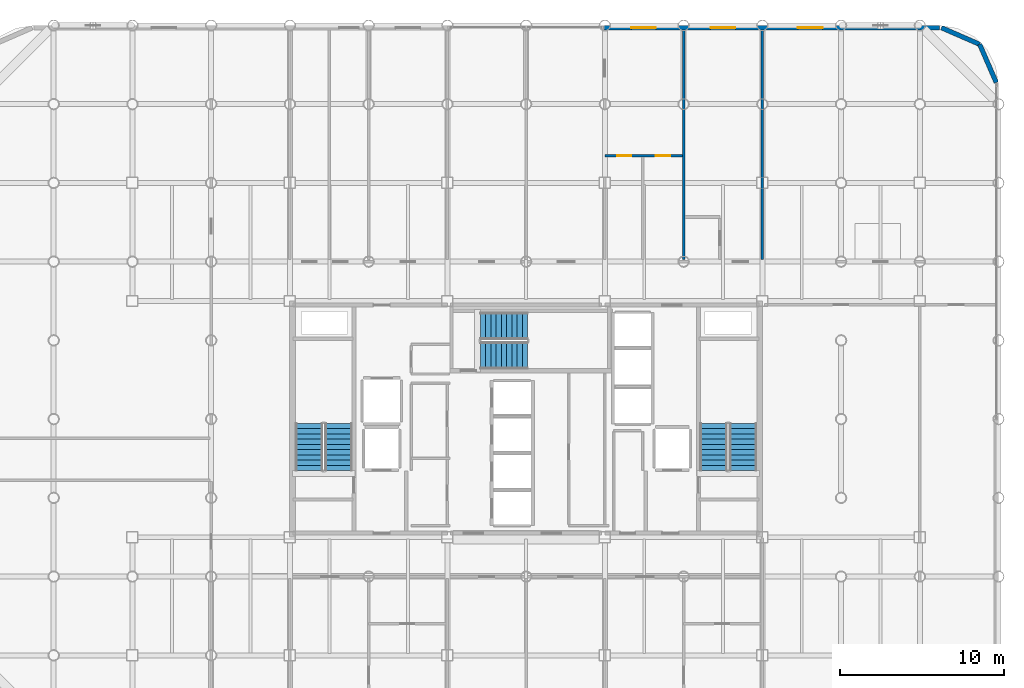
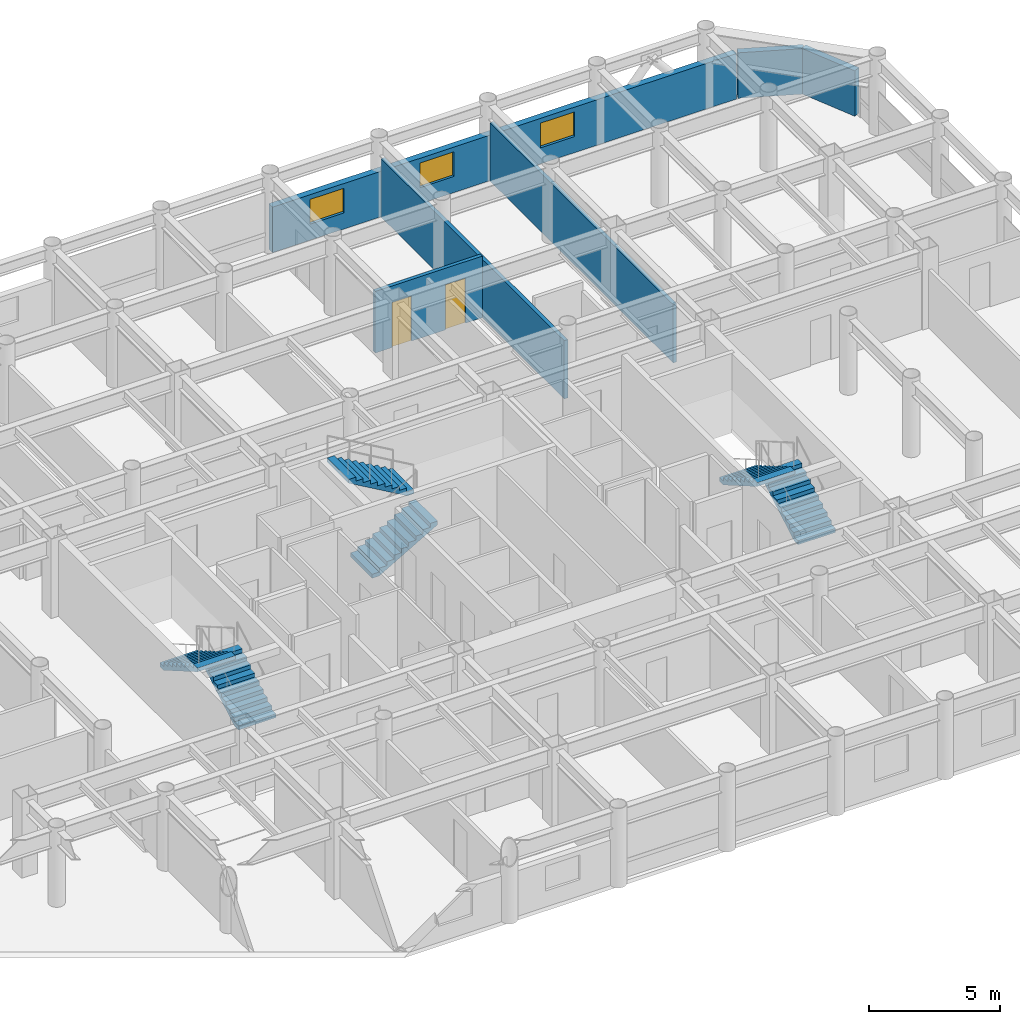
# One storey, part 19 of 21: 6 stair flights, 6 walls, 3 windows, 2 doors, 5 openings, 3 elements without a shape of their own.
"""IFC4 building model written with IfcOpenShell, lengths in metres."""

from ifc_helpers import new_model, si_unit, direction, frame, frame_2d, origin, place, context, subcontext, project, spatial, polyline, rectangle, outline, extrude, material, layer, layer_set, type_object, element, fill, aggregate, save


model = new_model("IFC4")

# Units and contexts
model_context = context("Model", 3, precision=1e-05, world=origin(), true_north=direction((0.0, 1.0)))
body_context = subcontext(model_context, "Body", "Model", "MODEL_VIEW")
ifc_project = project(units=[si_unit("LENGTHUNIT", "METRE"), si_unit("AREAUNIT", "SQUARE_METRE"), si_unit("VOLUMEUNIT", "CUBIC_METRE"), si_unit("PLANEANGLEUNIT", "RADIAN"), si_unit("MASSUNIT", "GRAM", prefix="KILO")], contexts=[model_context])

# Site, building, storey
site_placement = place(None, origin())
site = spatial("IfcSite", under=ifc_project, at=site_placement, CompositionType="ELEMENT")
building_placement = place(site_placement, origin())
building = spatial("IfcBuilding", under=site, at=building_placement, Name="Kallvorn Hotel Tower", CompositionType="ELEMENT")
storey_placement = place(building_placement, frame((0.0, 0.0, 139.60009765625)))
storey = spatial("IfcBuildingStorey", under=building, at=storey_placement, Name="L34", CompositionType="ELEMENT", Elevation=139.60009765625)

# Wall, openings, doors
ifc_material_1 = material(Name="Fire-rated double-layer acoustic gypsum drywall EI 60")
ifc_layer_1 = layer(ifc_material_1, 0.159912109375)
ifc_layer_set_1 = layer_set([ifc_layer_1], Name="WL_DEMISE_160")
wall_type_1 = type_object("IfcWallType", Name="WL_DEMISE_160", PredefinedType="PARTITIONING", material=ifc_layer_set_1)
wall_1_placement = place(storey_placement, frame((4.800048828125, 16.050048828125, 0.0), z_axis=(0.0, 0.0, 1.0), x_axis=(1.0, 0.0, 0.0)))
wall_1 = element("IfcWall", 1, at=wall_1_placement, inside=storey, type_object=wall_type_1, Name="L34 Suite 3403 Junior Bedroom Partition", PredefinedType="PARTITIONING", context=body_context, shape_type="SweptSolid", body=[
    extrude(rectangle(XDim=4.719970703125, YDim=0.159912109375, at=frame_2d((2.35986328125, 0.0))), origin(), (0.0, 0.0, 1.0), 2.869873046875),
])
opening_1_placement = place(wall_1_placement, frame((0.75, 0.0, 0.0)))
opening_1 = element("IfcOpeningElement", 2, at=opening_1_placement, cuts=wall_1, Name="Opening BD-I", PredefinedType="OPENING", context=body_context, shape_type="SweptSolid", body=[
    extrude(rectangle(XDim=0.860107421875, YDim=2.10009765625, at=frame_2d((0.43017578125, 1.050048828125))), frame((0.0, 0.094970703125, 0.0), z_axis=(0.0, -1.0, 0.0), x_axis=(1.0, 0.0, 0.0)), (0.0, 0.0, 1.0), 0.18994140625),
])
opening_2_placement = place(wall_1_placement, frame((3.090087890625, 0.0, 0.0)))
opening_2 = element("IfcOpeningElement", 3, at=opening_2_placement, cuts=wall_1, Name="Opening SVD1", PredefinedType="OPENING", context=body_context, shape_type="SweptSolid", body=[
    extrude(rectangle(XDim=0.89990234375, YDim=2.10009765625, at=frame_2d((0.449951171875, 1.050048828125))), frame((0.0, 0.094970703125, 0.0), z_axis=(0.0, -1.0, 0.0), x_axis=(1.0, 0.0, 0.0)), (0.0, 0.0, 1.0), 0.18994140625),
])
ifc_material_2 = material(Name="Solid-core walnut veneer fire-rated timber door leaf", Category="wood")
door_type_1 = type_object("IfcDoorType", Name="DR_BATH_860x2100", OperationType="NOTDEFINED", PredefinedType="DOOR", material=ifc_material_2)
door_1_placement = place(opening_1_placement, origin())
door_1 = element("IfcDoor", 4, at=door_1_placement, inside=storey, type_object=door_type_1, Name="L34 Suite 3403 En-Suite Bathroom Door", OperationType="SINGLE_SWING_RIGHT", OverallHeight=2.10009765625, OverallWidth=0.860107421875, PredefinedType="DOOR", context=body_context, shape_type="SweptSolid", body=[
    extrude(rectangle(XDim=0.860107421875, YDim=2.10009765625, at=frame_2d((0.43017578125, 1.050048828125))), frame((0.0, 0.02490234375, 0.0), z_axis=(0.0, -1.0, 0.0), x_axis=(1.0, 0.0, 0.0)), (0.0, 0.0, 1.0), 0.050048828125),
])
fill(opening_1, door_1)
ifc_material_3 = material(Name="Galvanised painted steel fire-rated door assembly", Category="steel")
door_type_2 = type_object("IfcDoorType", Name="DR_SERV_900x2100", OperationType="NOTDEFINED", PredefinedType="DOOR", material=ifc_material_3)
door_2_placement = place(opening_2_placement, origin())
door_2 = element("IfcDoor", 5, at=door_2_placement, inside=storey, type_object=door_type_2, Name="L34 Suite 3403 Walk-In Dressing Closet Door", OperationType="SINGLE_SWING_RIGHT", OverallHeight=2.10009765625, OverallWidth=0.89990234375, PredefinedType="DOOR", context=body_context, shape_type="SweptSolid", body=[
    extrude(rectangle(XDim=0.89990234375, YDim=2.10009765625, at=frame_2d((0.449951171875, 1.050048828125))), frame((0.0, 0.02490234375, 0.0), z_axis=(0.0, -1.0, 0.0), x_axis=(1.0, 0.0, 0.0)), (0.0, 0.0, 1.0), 0.050048828125),
])
fill(opening_2, door_2)

# Walls
for number, where, z_axis, x_axis, name in (
    (6, (9.60009765625, 9.719970703125, 0.0), (0.0, 0.0, 1.0), (0.0, 1.0, 0.0), "L34 Suite 3404 Standard Twin Room Partition"),
    (7, (14.39990234375, 9.719970703125, 0.0), (0.0, 0.0, 1.0), (0.0, 1.0, 0.0), "L34 Suite 3404 Standard Twin Room Partition"),
):
    element("IfcWall", number, at=place(storey_placement, frame(where, z_axis=z_axis, x_axis=x_axis)), inside=storey, type_object=wall_type_1, Name=name, PredefinedType="PARTITIONING", context=body_context, shape_type="SweptSolid", body=[
        extrude(rectangle(XDim=13.989990234375, YDim=0.159912109375, at=frame_2d((6.9951171875, 0.0))), origin(), (0.0, 0.0, 1.0), 2.719970703125),
    ])
ifc_material_4 = material(Name="Precast basalt-clad insulated concrete wall C40/50", Category="masonry")
ifc_layer_2 = layer(ifc_material_4, 0.280029296875)
ifc_layer_set_2 = layer_set([ifc_layer_2], Name="WL_EXT_LOGGIA_280")
wall_type_2 = type_object("IfcWallType", Name="WL_EXT_LOGGIA_280", PredefinedType="SOLIDWALL", material=ifc_layer_set_2)
wall_2_placement = place(storey_placement, frame((28.657958984375, 20.520751953125, 0.0), z_axis=(0.0, 0.0, 1.0), x_axis=(-0.398792985289, 0.917040977756, 0.0)))
element("IfcWall", 8, at=wall_2_placement, inside=storey, type_object=wall_type_2, Name="L34 Rounded Corner Exterior Wall NE1", PredefinedType="SOLIDWALL", context=body_context, shape_type="SweptSolid", body=[
    extrude(rectangle(XDim=2.536376953125, YDim=0.280029296875, at=frame_2d((1.26806640625, 0.0))), origin(), (0.0, 0.0, 1.0), 2.119873046875),
])
wall_3_placement = place(storey_placement, frame((27.646484375, 22.8466796875, 0.0), z_axis=(0.0, 0.0, 1.0), x_axis=(-0.917060872934, 0.398747232384, 0.0)))
element("IfcWall", 9, at=wall_3_placement, inside=storey, type_object=wall_type_2, Name="L34 Rounded Corner Exterior Wall NE2", PredefinedType="SOLIDWALL", context=body_context, shape_type="SweptSolid", body=[
    extrude(rectangle(XDim=2.5361328125, YDim=0.280029296875, at=frame_2d((1.26806640625, 0.0))), origin(), (0.0, 0.0, 1.0), 2.119873046875),
])

# Wall, openings, windows
wall_4_placement = place(storey_placement, frame((4.75, 23.860107421875, 0.0), z_axis=(0.0, 0.0, 1.0), x_axis=(1.0, 0.0, 0.0)))
wall_4 = element("IfcWall", 10, at=wall_4_placement, inside=storey, type_object=wall_type_2, Name="L34 Exterior Envelope Wall EW-L34-NE", PredefinedType="SOLIDWALL", context=body_context, shape_type="SweptSolid", body=[
    extrude(rectangle(XDim=20.449951171875, YDim=0.280029296875, at=frame_2d((10.22509765625, 0.0))), origin(), (0.0, 0.0, 1.0), 2.119873046875),
])
opening_3_placement = place(wall_4_placement, frame((11.81689453125, 0.0, 0.75)))
opening_3 = element("IfcOpeningElement", 11, at=opening_3_placement, cuts=wall_4, Name="Opening W05A", PredefinedType="OPENING", context=body_context, shape_type="SweptSolid", body=[
    extrude(rectangle(XDim=1.5, YDim=1.14990234375, at=frame_2d((0.75, 0.574951171875))), frame((0.0, 0.155029296875, 0.0), z_axis=(0.0, -1.0, 0.0), x_axis=(1.0, 0.0, 0.0)), (0.0, 0.0, 1.0), 0.31005859375),
])
opening_4_placement = place(wall_4_placement, frame((1.659912109375, 0.0, 0.75)))
opening_4 = element("IfcOpeningElement", 12, at=opening_4_placement, cuts=wall_4, Name="Opening W05A", PredefinedType="OPENING", context=body_context, shape_type="SweptSolid", body=[
    extrude(rectangle(XDim=1.5, YDim=1.14990234375, at=frame_2d((0.75, 0.574951171875))), frame((0.0, 0.155029296875, 0.0), z_axis=(0.0, -1.0, 0.0), x_axis=(1.0, 0.0, 0.0)), (0.0, 0.0, 1.0), 0.31005859375),
])
opening_5_placement = place(wall_4_placement, frame((6.5, 0.0, 0.75)))
opening_5 = element("IfcOpeningElement", 13, at=opening_5_placement, cuts=wall_4, Name="Opening W05A", PredefinedType="OPENING", context=body_context, shape_type="SweptSolid", body=[
    extrude(rectangle(XDim=1.5, YDim=1.14990234375, at=frame_2d((0.75, 0.574951171875))), frame((0.0, 0.155029296875, 0.0), z_axis=(0.0, -1.0, 0.0), x_axis=(1.0, 0.0, 0.0)), (0.0, 0.0, 1.0), 0.31005859375),
])
ifc_material_5 = material(Name="Double-glazed low-e solar-control dark glass", Category="glass")
window_type = type_object("IfcWindowType", Name="WN_HTL_1500x1150", PartitioningType="SINGLE_PANEL", PredefinedType="WINDOW", material=ifc_material_5)
window_1_placement = place(opening_3_placement, origin())
window_1 = element("IfcWindow", 14, at=window_1_placement, inside=storey, type_object=window_type, Name="L34 Guestroom Exterior Window 03", OverallHeight=1.14990234375, OverallWidth=1.5, PartitioningType="SINGLE_PANEL", PredefinedType="WINDOW", context=body_context, shape_type="SweptSolid", body=[
    extrude(rectangle(XDim=1.5, YDim=1.14990234375, at=frame_2d((0.75, 0.574951171875))), frame((0.0, 0.030029296875, 0.0), z_axis=(0.0, -1.0, 0.0), x_axis=(1.0, 0.0, 0.0)), (0.0, 0.0, 1.0), 0.06005859375),
])
fill(opening_3, window_1)
window_2_placement = place(opening_4_placement, origin())
window_2 = element("IfcWindow", 15, at=window_2_placement, inside=storey, type_object=window_type, Name="L34 Guestroom Exterior Window 11", OverallHeight=1.14990234375, OverallWidth=1.5, PartitioningType="SINGLE_PANEL", PredefinedType="WINDOW", context=body_context, shape_type="SweptSolid", body=[
    extrude(rectangle(XDim=1.5, YDim=1.14990234375, at=frame_2d((0.75, 0.574951171875))), frame((0.0, 0.030029296875, 0.0), z_axis=(0.0, -1.0, 0.0), x_axis=(1.0, 0.0, 0.0)), (0.0, 0.0, 1.0), 0.06005859375),
])
fill(opening_4, window_2)
window_3_placement = place(opening_5_placement, origin())
window_3 = element("IfcWindow", 16, at=window_3_placement, inside=storey, type_object=window_type, Name="L34 Guestroom Exterior Window 12", OverallHeight=1.14990234375, OverallWidth=1.5, PartitioningType="SINGLE_PANEL", PredefinedType="WINDOW", context=body_context, shape_type="SweptSolid", body=[
    extrude(rectangle(XDim=1.5, YDim=1.14990234375, at=frame_2d((0.75, 0.574951171875))), frame((0.0, 0.030029296875, 0.0), z_axis=(0.0, -1.0, 0.0), x_axis=(1.0, 0.0, 0.0)), (0.0, 0.0, 1.0), 0.06005859375),
])
fill(opening_5, window_3)

# Stair, stair flights
ifc_material_6 = material(Name="Precast concrete C40/50", Category="concrete")
stair_type = type_object("IfcStairType", Name="STR_CORE_DOGLEG", PredefinedType="HALF_TURN_STAIR", material=ifc_material_6)
stair_1_placement = place(storey_placement, origin())
stair_1 = element("IfcStair", 17, at=stair_1_placement, inside=storey, type_object=stair_type, Name="L34 Exit stair ST1", PredefinedType="HALF_TURN_STAIR")
ifc_material_7 = material(Name="Precast concrete C40/50", Category="concrete")
stair_flight_type = type_object("IfcStairFlightType", Name="FLT_CORE_1660", PredefinedType="STRAIGHT", material=ifc_material_7)
stair_flight_1_placement = place(storey_placement, frame((-11.429931640625, -3.139892578125, 0.0), z_axis=(0.0, 0.0, 1.0), x_axis=(0.0, 1.0, 0.0)))
stair_flight_1 = element("IfcStairFlight", 18, at=stair_flight_1_placement, type_object=stair_flight_type, Name="ST1 flight 1", NumberOfRisers=10, NumberOfTreads=9, PredefinedType="STRAIGHT", RiserHeight=0.185, TreadLength=0.32, context=body_context, shape_type="SweptSolid", body=[
    extrude(outline(polyline([(0.0, 0.0), (0.0, 0.18505859375), (0.320068359375, 0.18505859375), (0.320068359375, 0.3701171875), (0.639892578125, 0.3701171875), (0.639892578125, 0.554931640625), (0.9599609375, 0.554931640625), (0.9599609375, 0.739990234375), (1.280029296875, 0.739990234375), (1.280029296875, 0.925048828125), (1.60009765625, 0.925048828125), (1.60009765625, 1.110107421875), (1.919921875, 1.110107421875), (1.919921875, 1.294921875), (2.239990234375, 1.294921875), (2.239990234375, 1.47998046875), (2.56005859375, 1.47998046875), (2.56005859375, 1.6650390625), (2.8798828125, 1.6650390625), (2.8798828125, 1.85009765625), (2.8798828125, 1.491943359375), (0.299560546875, 0.0), (0.0, 0.0)])), frame((0.0, 0.830078125, 0.0), z_axis=(0.0, -1.0, 0.0), x_axis=(1.0, 0.0, 0.0)), (0.0, 0.0, 1.0), 1.659912109375),
])
stair_flight_2_placement = place(storey_placement, frame((-13.22998046875, -0.260009765625, 1.849853515625), z_axis=(0.0, 0.0, 1.0), x_axis=(0.0, -1.0, 0.0)))
stair_flight_2 = element("IfcStairFlight", 19, at=stair_flight_2_placement, type_object=stair_flight_type, Name="ST1 flight 2", NumberOfRisers=10, NumberOfTreads=9, PredefinedType="STRAIGHT", RiserHeight=0.185, TreadLength=0.32, context=body_context, shape_type="SweptSolid", body=[
    extrude(outline(polyline([(0.0, 0.0), (0.0, 0.18505859375), (0.320068359375, 0.18505859375), (0.320068359375, 0.3701171875), (0.639892578125, 0.3701171875), (0.639892578125, 0.554931640625), (0.9599609375, 0.554931640625), (0.9599609375, 0.739990234375), (1.280029296875, 0.739990234375), (1.280029296875, 0.925048828125), (1.60009765625, 0.925048828125), (1.60009765625, 1.110107421875), (1.919921875, 1.110107421875), (1.919921875, 1.294921875), (2.239990234375, 1.294921875), (2.239990234375, 1.47998046875), (2.56005859375, 1.47998046875), (2.56005859375, 1.6650390625), (2.8798828125, 1.6650390625), (2.8798828125, 1.85009765625), (2.8798828125, 1.491943359375), (0.299560546875, 0.0), (0.0, 0.0)])), frame((0.0, 0.830078125, 0.0), z_axis=(0.0, -1.0, 0.0), x_axis=(1.0, 0.0, 0.0)), (0.0, 0.0, 1.0), 1.659912109375),
])
aggregate(stair_1, [stair_flight_1, stair_flight_2])

stair_2_placement = place(storey_placement, origin())
stair_2 = element("IfcStair", 20, at=stair_2_placement, inside=storey, type_object=stair_type, Name="L34 Exit stair ST2", PredefinedType="HALF_TURN_STAIR")
stair_flight_3_placement = place(storey_placement, frame((13.22998046875, -3.139892578125, 0.0), z_axis=(0.0, 0.0, 1.0), x_axis=(0.0, 1.0, 0.0)))
stair_flight_3 = element("IfcStairFlight", 21, at=stair_flight_3_placement, type_object=stair_flight_type, Name="ST2 flight 1", NumberOfRisers=10, NumberOfTreads=9, PredefinedType="STRAIGHT", RiserHeight=0.185, TreadLength=0.32, context=body_context, shape_type="SweptSolid", body=[
    extrude(outline(polyline([(0.0, 0.0), (0.0, 0.18505859375), (0.320068359375, 0.18505859375), (0.320068359375, 0.3701171875), (0.639892578125, 0.3701171875), (0.639892578125, 0.554931640625), (0.9599609375, 0.554931640625), (0.9599609375, 0.739990234375), (1.280029296875, 0.739990234375), (1.280029296875, 0.925048828125), (1.60009765625, 0.925048828125), (1.60009765625, 1.110107421875), (1.919921875, 1.110107421875), (1.919921875, 1.294921875), (2.239990234375, 1.294921875), (2.239990234375, 1.47998046875), (2.56005859375, 1.47998046875), (2.56005859375, 1.6650390625), (2.8798828125, 1.6650390625), (2.8798828125, 1.85009765625), (2.8798828125, 1.491943359375), (0.299560546875, 0.0), (0.0, 0.0)])), frame((0.0, 0.830078125, 0.0), z_axis=(0.0, -1.0, 0.0), x_axis=(1.0, 0.0, 0.0)), (0.0, 0.0, 1.0), 1.659912109375),
])
stair_flight_4_placement = place(storey_placement, frame((11.429931640625, -0.260009765625, 1.849853515625), z_axis=(0.0, 0.0, 1.0), x_axis=(0.0, -1.0, 0.0)))
stair_flight_4 = element("IfcStairFlight", 22, at=stair_flight_4_placement, type_object=stair_flight_type, Name="ST2 flight 2", NumberOfRisers=10, NumberOfTreads=9, PredefinedType="STRAIGHT", RiserHeight=0.185, TreadLength=0.32, context=body_context, shape_type="SweptSolid", body=[
    extrude(outline(polyline([(0.0, 0.0), (0.0, 0.18505859375), (0.320068359375, 0.18505859375), (0.320068359375, 0.3701171875), (0.639892578125, 0.3701171875), (0.639892578125, 0.554931640625), (0.9599609375, 0.554931640625), (0.9599609375, 0.739990234375), (1.280029296875, 0.739990234375), (1.280029296875, 0.925048828125), (1.60009765625, 0.925048828125), (1.60009765625, 1.110107421875), (1.919921875, 1.110107421875), (1.919921875, 1.294921875), (2.239990234375, 1.294921875), (2.239990234375, 1.47998046875), (2.56005859375, 1.47998046875), (2.56005859375, 1.6650390625), (2.8798828125, 1.6650390625), (2.8798828125, 1.85009765625), (2.8798828125, 1.491943359375), (0.299560546875, 0.0), (0.0, 0.0)])), frame((0.0, 0.830078125, 0.0), z_axis=(0.0, -1.0, 0.0), x_axis=(1.0, 0.0, 0.0)), (0.0, 0.0, 1.0), 1.659912109375),
])
aggregate(stair_2, [stair_flight_3, stair_flight_4])

stair_3_placement = place(storey_placement, origin())
stair_3 = element("IfcStair", 23, at=stair_3_placement, inside=storey, type_object=stair_type, Name="L34 Exit stair ST3", PredefinedType="HALF_TURN_STAIR")
stair_flight_5_placement = place(storey_placement, frame((-2.7900390625, 3.8798828125, 0.0), z_axis=(0.0, 0.0, 1.0), x_axis=(1.0, 0.0, 0.0)))
stair_flight_5 = element("IfcStairFlight", 24, at=stair_flight_5_placement, type_object=stair_flight_type, Name="ST3 flight 1", NumberOfRisers=10, NumberOfTreads=9, PredefinedType="STRAIGHT", RiserHeight=0.185, TreadLength=0.32, context=body_context, shape_type="SweptSolid", body=[
    extrude(outline(polyline([(0.0, 0.0), (0.0, 0.18505859375), (0.320068359375, 0.18505859375), (0.320068359375, 0.3701171875), (0.639892578125, 0.3701171875), (0.639892578125, 0.554931640625), (0.9599609375, 0.554931640625), (0.9599609375, 0.739990234375), (1.280029296875, 0.739990234375), (1.280029296875, 0.925048828125), (1.60009765625, 0.925048828125), (1.60009765625, 1.110107421875), (1.919921875, 1.110107421875), (1.919921875, 1.294921875), (2.239990234375, 1.294921875), (2.239990234375, 1.47998046875), (2.56005859375, 1.47998046875), (2.56005859375, 1.6650390625), (2.8798828125, 1.6650390625), (2.8798828125, 1.85009765625), (2.8798828125, 1.491943359375), (0.299560546875, 0.0), (0.0, 0.0)])), frame((0.0, 0.830078125, 0.0), z_axis=(0.0, -1.0, 0.0), x_axis=(1.0, 0.0, 0.0)), (0.0, 0.0, 1.0), 1.659912109375),
])
stair_flight_6_placement = place(storey_placement, frame((0.090087890625, 5.679931640625, 1.849853515625), z_axis=(0.0, 0.0, 1.0), x_axis=(-1.0, 0.0, 0.0)))
stair_flight_6 = element("IfcStairFlight", 25, at=stair_flight_6_placement, type_object=stair_flight_type, Name="ST3 flight 2", NumberOfRisers=10, NumberOfTreads=9, PredefinedType="STRAIGHT", RiserHeight=0.185, TreadLength=0.32, context=body_context, shape_type="SweptSolid", body=[
    extrude(outline(polyline([(0.0, 0.0), (0.0, 0.18505859375), (0.320068359375, 0.18505859375), (0.320068359375, 0.3701171875), (0.639892578125, 0.3701171875), (0.639892578125, 0.554931640625), (0.9599609375, 0.554931640625), (0.9599609375, 0.739990234375), (1.280029296875, 0.739990234375), (1.280029296875, 0.925048828125), (1.60009765625, 0.925048828125), (1.60009765625, 1.110107421875), (1.919921875, 1.110107421875), (1.919921875, 1.294921875), (2.239990234375, 1.294921875), (2.239990234375, 1.47998046875), (2.56005859375, 1.47998046875), (2.56005859375, 1.6650390625), (2.8798828125, 1.6650390625), (2.8798828125, 1.85009765625), (2.8798828125, 1.491943359375), (0.299560546875, 0.0), (0.0, 0.0)])), frame((0.0, 0.830078125, 0.0), z_axis=(0.0, -1.0, 0.0), x_axis=(1.0, 0.0, 0.0)), (0.0, 0.0, 1.0), 1.659912109375),
])
aggregate(stair_3, [stair_flight_5, stair_flight_6])

save(model, "model.ifc")
